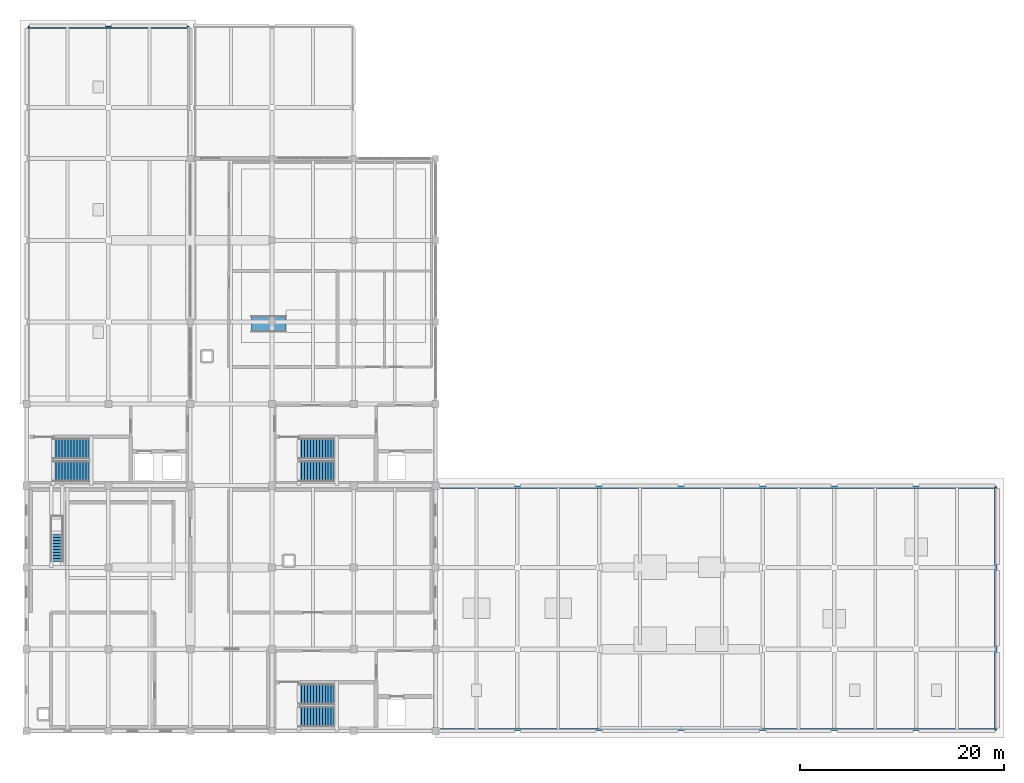
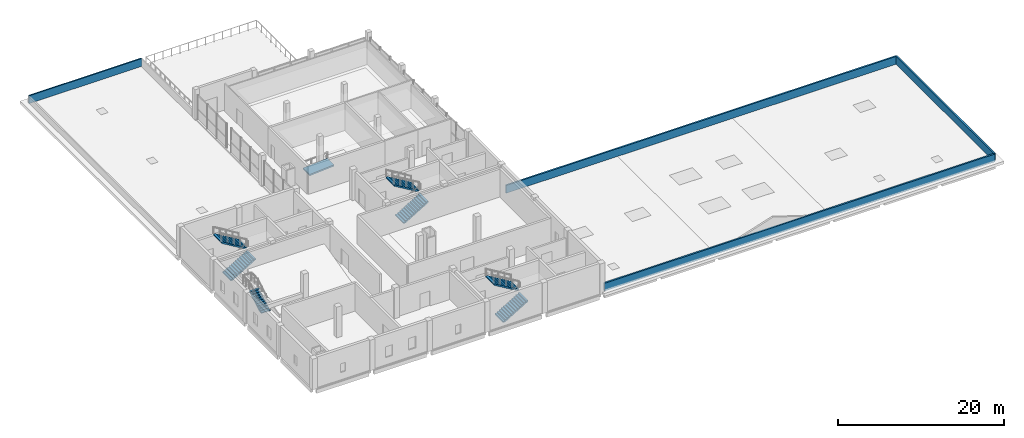
# One storey, part 12 of 14: 7 stair flights, 4 walls, 1 ramp flight, 5 elements without a shape of their own.
"""IFC4 building model written with IfcOpenShell, lengths in metres."""

from ifc_helpers import new_model, si_unit, direction, frame, frame_2d, origin, place, context, subcontext, project, spatial, polyline, rectangle, outline, extrude, material, layer, layer_set, type_object, element, aggregate, save


model = new_model("IFC4")

# Units and contexts
model_context = context("Model", 3, precision=1e-05, world=origin(), true_north=direction((0.0, 1.0)))
body_context = subcontext(model_context, "Body", "Model", "MODEL_VIEW")
ifc_project = project(units=[si_unit("LENGTHUNIT", "METRE"), si_unit("AREAUNIT", "SQUARE_METRE"), si_unit("VOLUMEUNIT", "CUBIC_METRE"), si_unit("PLANEANGLEUNIT", "RADIAN"), si_unit("MASSUNIT", "GRAM", prefix="KILO")], contexts=[model_context])

# Site, building, storey
site_placement = place(None, origin())
site = spatial("IfcSite", under=ifc_project, at=site_placement, CompositionType="ELEMENT")
building_placement = place(site_placement, origin())
building = spatial("IfcBuilding", under=site, at=building_placement, Name="Qorikala Patio Media Centre", CompositionType="ELEMENT")
storey_placement = place(building_placement, frame((0.0, 0.0, 23.39990234375)))
storey = spatial("IfcBuildingStorey", under=building, at=storey_placement, Name="L05", CompositionType="ELEMENT", Elevation=23.39990234375)

# Walls
ifc_material_1 = material(Name="Ivory Lime Stucco and Concrete C35/45", Category="concrete")
ifc_layer_1 = layer(ifc_material_1, 0.179931640625)
ifc_layer_set_1 = layer_set([ifc_layer_1], Name="Ivory Lime Stucco and Concrete C35/45")
wall_type_1 = type_object("IfcWallType", Name="WL-PAR-180", PredefinedType="PARAPET", material=ifc_layer_set_1)
wall_1_placement = place(storey_placement, frame((3.14990234375, 71.85009765625, 0.0), z_axis=(0.0, 0.0, 1.0), x_axis=(1.0, 0.0, 0.0)))
element("IfcWall", 1, at=wall_1_placement, inside=storey, type_object=wall_type_1, Name="L05 Roof Parapet Wall 05", PredefinedType="PARAPET", context=body_context, shape_type="SweptSolid", body=[
    extrude(rectangle(XDim=15.7001953125, YDim=0.179931640625, at=frame_2d((7.85009765625, 0.0))), origin(), (0.0, 0.0, 1.0), 1.150146484375),
])
ifc_material_2 = material(Name="Comanche Granite Coping and Concrete C35/45", Category="masonry")
ifc_layer_2 = layer(ifc_material_2, 0.219970703125)
ifc_layer_set_2 = layer_set([ifc_layer_2], Name="Comanche Granite Coping and Concrete C35/45")
wall_type_2 = type_object("IfcWallType", Name="WL-PAR-220", PredefinedType="PARAPET", material=ifc_layer_set_2)
wall_2_placement = place(storey_placement, frame((43.5, 3.14990234375, 0.0), z_axis=(0.0, 0.0, 1.0), x_axis=(1.0, 0.0, 0.0)))
element("IfcWall", 2, at=wall_2_placement, inside=storey, type_object=wall_type_2, Name="L05 Roof Parapet Wall 01", PredefinedType="PARAPET", context=body_context, shape_type="SweptSolid", body=[
    extrude(rectangle(XDim=54.300048828125, YDim=0.219970703125, at=frame_2d((27.14990234375, 0.0))), origin(), (0.0, 0.0, 1.0), 1.150146484375),
])
wall_3_placement = place(storey_placement, frame((97.800048828125, 3.14990234375, 0.0), z_axis=(0.0, 0.0, 1.0), x_axis=(0.0, 1.0, 0.0)))
element("IfcWall", 3, at=wall_3_placement, inside=storey, type_object=wall_type_2, Name="L05 Roof Parapet Wall 02", PredefinedType="PARAPET", context=body_context, shape_type="SweptSolid", body=[
    extrude(rectangle(XDim=23.7001953125, YDim=0.219970703125, at=frame_2d((11.85009765625, 0.0))), origin(), (0.0, 0.0, 1.0), 1.150146484375),
])
wall_4_placement = place(storey_placement, frame((43.5, 26.85009765625, 0.0), z_axis=(0.0, 0.0, 1.0), x_axis=(1.0, 0.0, 0.0)))
element("IfcWall", 4, at=wall_4_placement, inside=storey, type_object=wall_type_2, Name="L05 Roof Parapet Wall 03", PredefinedType="PARAPET", context=body_context, shape_type="SweptSolid", body=[
    extrude(rectangle(XDim=54.300048828125, YDim=0.219970703125, at=frame_2d((27.14990234375, 0.0))), origin(), (0.0, 0.0, 1.0), 1.150146484375),
])

# Stair, stair flights
ifc_material_3 = material(Name="Precast concrete C40/50", Category="concrete")
stair_type_1 = type_object("IfcStairType", Name="ST-DL-26R173W200", PredefinedType="HALF_TURN_STAIR", material=ifc_material_3)
stair_1_placement = place(storey_placement, origin())
stair_1 = element("IfcStair", 5, at=stair_1_placement, inside=storey, type_object=stair_type_1, Name="L05 Core C1 Exit Stair ST-1", PredefinedType="HALF_TURN_STAIR")
stair_flight_type_1 = type_object("IfcStairFlightType", Name="FL-DL-13R173W200", PredefinedType="STRAIGHT", material=ifc_material_3)
stair_flight_1_placement = place(storey_placement, frame((29.60009765625, 4.39990234375, 0.0), z_axis=(0.0, 0.0, 1.0), x_axis=(1.0, 0.0, 0.0)))
stair_flight_1 = element("IfcStairFlight", 6, at=stair_flight_1_placement, type_object=stair_flight_type_1, Name="ST-1 flight 1", NumberOfRisers=13, NumberOfTreads=12, PredefinedType="STRAIGHT", RiserHeight=0.173076923, TreadLength=0.29, context=body_context, shape_type="SweptSolid", body=[
    extrude(outline(polyline([(0.0, 0.0), (0.0, 0.173095703125), (0.2900390625, 0.173095703125), (0.2900390625, 0.34619140625), (0.580078125, 0.34619140625), (0.580078125, 0.519287109375), (0.8701171875, 0.519287109375), (0.8701171875, 0.6923828125), (1.159912109375, 0.6923828125), (1.159912109375, 0.865478515625), (1.449951171875, 0.865478515625), (1.449951171875, 1.03857421875), (1.739990234375, 1.03857421875), (1.739990234375, 1.21142578125), (2.030029296875, 1.21142578125), (2.030029296875, 1.384521484375), (2.320068359375, 1.384521484375), (2.320068359375, 1.5576171875), (2.610107421875, 1.5576171875), (2.610107421875, 1.730712890625), (2.89990234375, 1.730712890625), (2.89990234375, 1.90380859375), (3.18994140625, 1.90380859375), (3.18994140625, 2.076904296875), (3.47998046875, 2.076904296875), (3.47998046875, 2.25), (3.47998046875, 1.90234375), (0.29248046875, 0.0), (0.0, 0.0)])), frame((0.0, 1.0, 0.0), z_axis=(0.0, -1.0, 0.0), x_axis=(1.0, 0.0, 0.0)), (0.0, 0.0, 1.0), 2.0),
])
stair_flight_2_placement = place(storey_placement, frame((33.080078125, 6.60009765625, 2.25), z_axis=(0.0, 0.0, 1.0), x_axis=(-1.0, 0.0, 0.0)))
stair_flight_2 = element("IfcStairFlight", 7, at=stair_flight_2_placement, type_object=stair_flight_type_1, Name="ST-1 flight 2", NumberOfRisers=13, NumberOfTreads=12, PredefinedType="STRAIGHT", RiserHeight=0.173076923, TreadLength=0.29, context=body_context, shape_type="SweptSolid", body=[
    extrude(outline(polyline([(0.0, 0.0), (0.0, 0.173095703125), (0.2900390625, 0.173095703125), (0.2900390625, 0.34619140625), (0.580078125, 0.34619140625), (0.580078125, 0.519287109375), (0.8701171875, 0.519287109375), (0.8701171875, 0.6923828125), (1.159912109375, 0.6923828125), (1.159912109375, 0.865478515625), (1.449951171875, 0.865478515625), (1.449951171875, 1.03857421875), (1.739990234375, 1.03857421875), (1.739990234375, 1.21142578125), (2.030029296875, 1.21142578125), (2.030029296875, 1.384521484375), (2.320068359375, 1.384521484375), (2.320068359375, 1.5576171875), (2.610107421875, 1.5576171875), (2.610107421875, 1.730712890625), (2.89990234375, 1.730712890625), (2.89990234375, 1.90380859375), (3.18994140625, 1.90380859375), (3.18994140625, 2.076904296875), (3.47998046875, 2.076904296875), (3.47998046875, 2.25), (3.47998046875, 1.90234375), (0.29248046875, 0.0), (0.0, 0.0)])), frame((0.0, 1.0, 0.0), z_axis=(0.0, -1.0, 0.0), x_axis=(1.0, 0.0, 0.0)), (0.0, 0.0, 1.0), 2.0),
])
aggregate(stair_1, [stair_flight_1, stair_flight_2])

stair_2_placement = place(storey_placement, origin())
stair_2 = element("IfcStair", 8, at=stair_2_placement, inside=storey, type_object=stair_type_1, Name="L05 Core C2 Exit Stair ST-2", PredefinedType="HALF_TURN_STAIR")
stair_flight_3_placement = place(storey_placement, frame((5.60009765625, 28.39990234375, 0.0), z_axis=(0.0, 0.0, 1.0), x_axis=(1.0, 0.0, 0.0)))
stair_flight_3 = element("IfcStairFlight", 9, at=stair_flight_3_placement, type_object=stair_flight_type_1, Name="ST-2 flight 1", NumberOfRisers=13, NumberOfTreads=12, PredefinedType="STRAIGHT", RiserHeight=0.173076923, TreadLength=0.29, context=body_context, shape_type="SweptSolid", body=[
    extrude(outline(polyline([(0.0, 0.0), (0.0, 0.173095703125), (0.2900390625, 0.173095703125), (0.2900390625, 0.34619140625), (0.580078125, 0.34619140625), (0.580078125, 0.519287109375), (0.8701171875, 0.519287109375), (0.8701171875, 0.6923828125), (1.159912109375, 0.6923828125), (1.159912109375, 0.865478515625), (1.449951171875, 0.865478515625), (1.449951171875, 1.03857421875), (1.739990234375, 1.03857421875), (1.739990234375, 1.21142578125), (2.030029296875, 1.21142578125), (2.030029296875, 1.384521484375), (2.320068359375, 1.384521484375), (2.320068359375, 1.5576171875), (2.610107421875, 1.5576171875), (2.610107421875, 1.730712890625), (2.89990234375, 1.730712890625), (2.89990234375, 1.90380859375), (3.18994140625, 1.90380859375), (3.18994140625, 2.076904296875), (3.47998046875, 2.076904296875), (3.47998046875, 2.25), (3.47998046875, 1.90234375), (0.29248046875, 0.0), (0.0, 0.0)])), frame((0.0, 1.0, 0.0), z_axis=(0.0, -1.0, 0.0), x_axis=(1.0, 0.0, 0.0)), (0.0, 0.0, 1.0), 2.0),
])
stair_flight_4_placement = place(storey_placement, frame((9.080078125, 30.60009765625, 2.25), z_axis=(0.0, 0.0, 1.0), x_axis=(-1.0, 0.0, 0.0)))
stair_flight_4 = element("IfcStairFlight", 10, at=stair_flight_4_placement, type_object=stair_flight_type_1, Name="ST-2 flight 2", NumberOfRisers=13, NumberOfTreads=12, PredefinedType="STRAIGHT", RiserHeight=0.173076923, TreadLength=0.29, context=body_context, shape_type="SweptSolid", body=[
    extrude(outline(polyline([(0.0, 0.0), (0.0, 0.173095703125), (0.2900390625, 0.173095703125), (0.2900390625, 0.34619140625), (0.580078125, 0.34619140625), (0.580078125, 0.519287109375), (0.8701171875, 0.519287109375), (0.8701171875, 0.6923828125), (1.159912109375, 0.6923828125), (1.159912109375, 0.865478515625), (1.449951171875, 0.865478515625), (1.449951171875, 1.03857421875), (1.739990234375, 1.03857421875), (1.739990234375, 1.21142578125), (2.030029296875, 1.21142578125), (2.030029296875, 1.384521484375), (2.320068359375, 1.384521484375), (2.320068359375, 1.5576171875), (2.610107421875, 1.5576171875), (2.610107421875, 1.730712890625), (2.89990234375, 1.730712890625), (2.89990234375, 1.90380859375), (3.18994140625, 1.90380859375), (3.18994140625, 2.076904296875), (3.47998046875, 2.076904296875), (3.47998046875, 2.25), (3.47998046875, 1.90234375), (0.29248046875, 0.0), (0.0, 0.0)])), frame((0.0, 1.0, 0.0), z_axis=(0.0, -1.0, 0.0), x_axis=(1.0, 0.0, 0.0)), (0.0, 0.0, 1.0), 2.0),
])
aggregate(stair_2, [stair_flight_3, stair_flight_4])

stair_3_placement = place(storey_placement, origin())
stair_3 = element("IfcStair", 11, at=stair_3_placement, inside=storey, type_object=stair_type_1, Name="L05 Core C5 Exit Stair ST-5", PredefinedType="HALF_TURN_STAIR")
stair_flight_5_placement = place(storey_placement, frame((29.60009765625, 28.39990234375, 0.0), z_axis=(0.0, 0.0, 1.0), x_axis=(1.0, 0.0, 0.0)))
stair_flight_5 = element("IfcStairFlight", 12, at=stair_flight_5_placement, type_object=stair_flight_type_1, Name="ST-5 flight 1", NumberOfRisers=13, NumberOfTreads=12, PredefinedType="STRAIGHT", RiserHeight=0.173076923, TreadLength=0.29, context=body_context, shape_type="SweptSolid", body=[
    extrude(outline(polyline([(0.0, 0.0), (0.0, 0.173095703125), (0.2900390625, 0.173095703125), (0.2900390625, 0.34619140625), (0.580078125, 0.34619140625), (0.580078125, 0.519287109375), (0.8701171875, 0.519287109375), (0.8701171875, 0.6923828125), (1.159912109375, 0.6923828125), (1.159912109375, 0.865478515625), (1.449951171875, 0.865478515625), (1.449951171875, 1.03857421875), (1.739990234375, 1.03857421875), (1.739990234375, 1.21142578125), (2.030029296875, 1.21142578125), (2.030029296875, 1.384521484375), (2.320068359375, 1.384521484375), (2.320068359375, 1.5576171875), (2.610107421875, 1.5576171875), (2.610107421875, 1.730712890625), (2.89990234375, 1.730712890625), (2.89990234375, 1.90380859375), (3.18994140625, 1.90380859375), (3.18994140625, 2.076904296875), (3.47998046875, 2.076904296875), (3.47998046875, 2.25), (3.47998046875, 1.90234375), (0.29248046875, 0.0), (0.0, 0.0)])), frame((0.0, 1.0, 0.0), z_axis=(0.0, -1.0, 0.0), x_axis=(1.0, 0.0, 0.0)), (0.0, 0.0, 1.0), 2.0),
])
stair_flight_6_placement = place(storey_placement, frame((33.080078125, 30.60009765625, 2.25), z_axis=(0.0, 0.0, 1.0), x_axis=(-1.0, 0.0, 0.0)))
stair_flight_6 = element("IfcStairFlight", 13, at=stair_flight_6_placement, type_object=stair_flight_type_1, Name="ST-5 flight 2", NumberOfRisers=13, NumberOfTreads=12, PredefinedType="STRAIGHT", RiserHeight=0.173076923, TreadLength=0.29, context=body_context, shape_type="SweptSolid", body=[
    extrude(outline(polyline([(0.0, 0.0), (0.0, 0.173095703125), (0.2900390625, 0.173095703125), (0.2900390625, 0.34619140625), (0.580078125, 0.34619140625), (0.580078125, 0.519287109375), (0.8701171875, 0.519287109375), (0.8701171875, 0.6923828125), (1.159912109375, 0.6923828125), (1.159912109375, 0.865478515625), (1.449951171875, 0.865478515625), (1.449951171875, 1.03857421875), (1.739990234375, 1.03857421875), (1.739990234375, 1.21142578125), (2.030029296875, 1.21142578125), (2.030029296875, 1.384521484375), (2.320068359375, 1.384521484375), (2.320068359375, 1.5576171875), (2.610107421875, 1.5576171875), (2.610107421875, 1.730712890625), (2.89990234375, 1.730712890625), (2.89990234375, 1.90380859375), (3.18994140625, 1.90380859375), (3.18994140625, 2.076904296875), (3.47998046875, 2.076904296875), (3.47998046875, 2.25), (3.47998046875, 1.90234375), (0.29248046875, 0.0), (0.0, 0.0)])), frame((0.0, 1.0, 0.0), z_axis=(0.0, -1.0, 0.0), x_axis=(1.0, 0.0, 0.0)), (0.0, 0.0, 1.0), 2.0),
])
aggregate(stair_3, [stair_flight_5, stair_flight_6])

# Stair, stair flight
ifc_material_4 = material(Name="Concrete C35/45", Category="concrete")
stair_type_2 = type_object("IfcStairType", Name="ST-VOM-STR", PredefinedType="STRAIGHT_RUN_STAIR", material=ifc_material_4)
stair_4_placement = place(storey_placement, origin())
stair_4 = element("IfcStair", 14, at=stair_4_placement, inside=storey, type_object=stair_type_2, Name="Vomitory Stair VS-07", PredefinedType="STRAIGHT_RUN_STAIR")
stair_flight_type_2 = type_object("IfcStairFlightType", Name="FL-VOM-STR", PredefinedType="STRAIGHT", material=ifc_material_4)
stair_flight_7_placement = place(storey_placement, frame((5.949951171875, 19.60009765625, 0.0), z_axis=(0.0, 0.0, 1.0), x_axis=(0.0, 1.0, 0.0)))
stair_flight_7 = element("IfcStairFlight", 15, at=stair_flight_7_placement, type_object=stair_flight_type_2, Name="VS-07 flight 1", NumberOfRisers=11, NumberOfTreads=10, PredefinedType="STRAIGHT", RiserHeight=0.16364, TreadLength=0.29, context=body_context, shape_type="SweptSolid", body=[
    extrude(outline(polyline([(0.0, 0.0), (0.0, 0.16357421875), (0.2900390625, 0.16357421875), (0.2900390625, 0.327392578125), (0.580078125, 0.327392578125), (0.580078125, 0.490966796875), (0.8701171875, 0.490966796875), (0.8701171875, 0.654541015625), (1.159912109375, 0.654541015625), (1.159912109375, 0.818115234375), (1.449951171875, 0.818115234375), (1.449951171875, 0.98193359375), (1.739990234375, 0.98193359375), (1.739990234375, 1.1455078125), (2.030029296875, 1.1455078125), (2.030029296875, 1.30908203125), (2.320068359375, 1.30908203125), (2.320068359375, 1.47265625), (2.610107421875, 1.47265625), (2.610107421875, 1.636474609375), (2.89990234375, 1.636474609375), (2.89990234375, 1.800048828125), (2.89990234375, 1.4296875), (0.3662109375, 0.0), (0.0, 0.0)])), frame((0.0, 0.625, 0.0), z_axis=(0.0, -1.0, 0.0), x_axis=(1.0, 0.0, 0.0)), (0.0, 0.0, 1.0), 1.25),
])
aggregate(stair_4, [stair_flight_7])

# Ramp, ramp flight
ifc_material_5 = material(Name="Comanche Granite and Concrete C35/45", Category="masonry")
ramp_type = type_object("IfcRampType", Name="RMP-PED", PredefinedType="STRAIGHT_RUN_RAMP", material=ifc_material_5)
ramp_placement = place(storey_placement, origin())
ramp = element("IfcRamp", 16, at=ramp_placement, inside=storey, type_object=ramp_type, Name="L05 Accessible Pedestrian Ramp RP-05", PredefinedType="STRAIGHT_RUN_RAMP")
ifc_layer_3 = layer(ifc_material_5, 0.219970703125)
ifc_layer_set_3 = layer_set([ifc_layer_3], Name="Comanche Granite and Concrete C35/45")
ramp_flight_type = type_object("IfcRampFlightType", Name="RMF-PED", PredefinedType="STRAIGHT", material=ifc_layer_set_3)
ramp_flight_placement = place(storey_placement, frame((25.0, 42.0, 0.0), z_axis=(-0.071241899553, 0.0, 0.997459067706), x_axis=(0.997459067706, 0.0, 0.071241899553)))
ramp_flight = element("IfcRampFlight", 17, at=ramp_flight_placement, type_object=ramp_flight_type, Name="L05 Accessible Ramp Flight RP-05", PredefinedType="STRAIGHT", context=body_context, shape_type="SweptSolid", body=[
    extrude(outline(polyline([(0.0, 0.0), (3.3686669765850747, 0.0), (3.3686669765850747, 1.60009765625), (0.0, 1.60009765625), (0.0, 0.0)])), origin(), (0.0, 0.0, -1.0), 0.219970703125),
])
aggregate(ramp, [ramp_flight])

save(model, "model.ifc")
